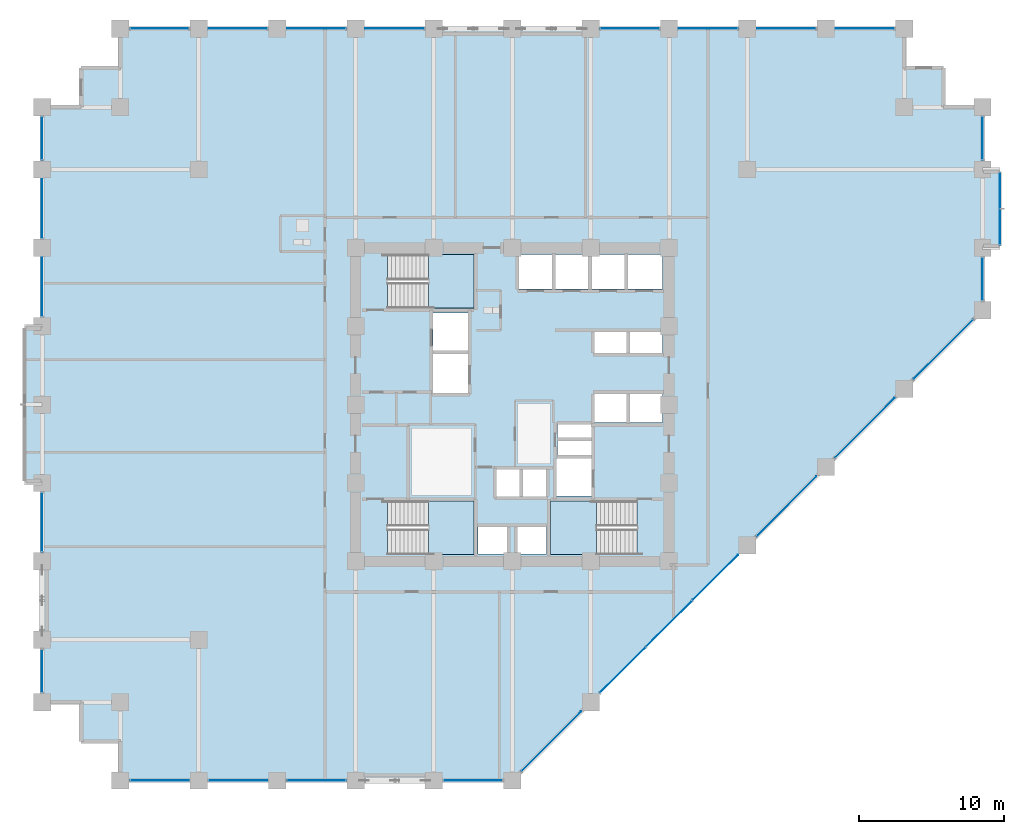
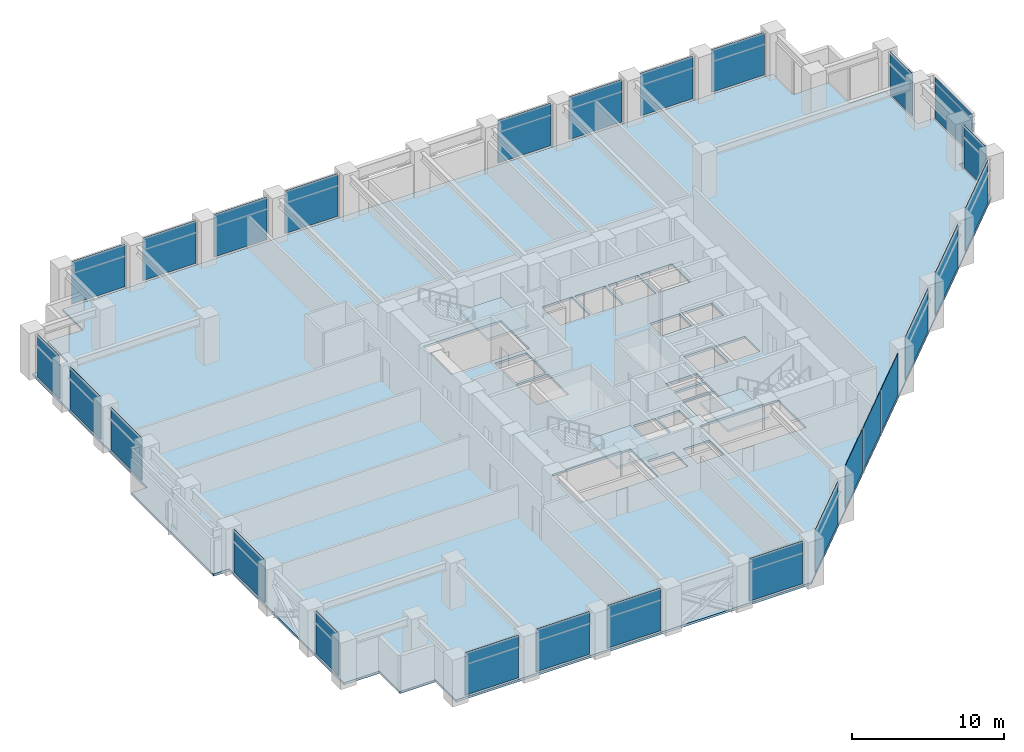
# One storey, part 19 of 27: 27 plates, 4 slabs, 14 elements without a shape of their own.
"""IFC4 building model written with IfcOpenShell, lengths in metres."""

from ifc_helpers import new_model, si_unit, direction, frame, frame_2d, origin, place, context, subcontext, project, spatial, polyline, rectangle, outline, extrude, material, layer, layer_set, type_object, element, aggregate, save


model = new_model("IFC4")

# Units and contexts
model_context = context("Model", 3, precision=1e-05, world=origin(), true_north=direction((0.0, 1.0)))
body_context = subcontext(model_context, "Body", "Model", "MODEL_VIEW")
ifc_project = project(units=[si_unit("LENGTHUNIT", "METRE"), si_unit("AREAUNIT", "SQUARE_METRE"), si_unit("VOLUMEUNIT", "CUBIC_METRE"), si_unit("PLANEANGLEUNIT", "RADIAN"), si_unit("MASSUNIT", "GRAM", prefix="KILO")], contexts=[model_context])

# Site, building, storey
site_placement = place(None, origin())
site = spatial("IfcSite", under=ifc_project, at=site_placement, CompositionType="ELEMENT")
building_placement = place(site_placement, origin())
building = spatial("IfcBuilding", under=site, at=building_placement, Name="Surkhivell Harbour Commons", CompositionType="ELEMENT")
storey_placement = place(building_placement, frame((0.0, 0.0, 56.25)))
storey = spatial("IfcBuildingStorey", under=building, at=storey_placement, Name="L14", CompositionType="ELEMENT", Elevation=56.25)

# Curtain wall, plate
ifc_material_1 = material(Name="Anodised pale-metal aluminium and insulated glazing", Category="aluminium")
ifc_layer_1 = layer(ifc_material_1, 0.1650390625)
ifc_layer_set_1 = layer_set([ifc_layer_1], Name="Anodised pale-metal aluminium and insulated glazing")
curtain_wall_type_1 = type_object("IfcCurtainWallType", Name="CW-SYS-BOX", PredefinedType="NOTDEFINED", material=ifc_layer_set_1)
curtain_wall_1_placement = place(storey_placement, origin())
curtain_wall_1 = element("IfcCurtainWall", 1, at=curtain_wall_1_placement, inside=storey, type_object=curtain_wall_type_1, Name="L14 Curtain Wall CW-L14-BOX01", PredefinedType="NOTDEFINED")
ifc_material_2 = material(Name="Triple-glazed bay-cluster vision glass", Category="glass")
ifc_layer_2 = layer(ifc_material_2, 0.028076171875)
ifc_layer_set_2 = layer_set([ifc_layer_2], Name="Triple-glazed bay-cluster vision glass")
plate_type_1 = type_object("IfcPlateType", Name="CWP-GLZ-28", PredefinedType="CURTAIN_PANEL", material=ifc_layer_set_2)
plate_1_placement = place(storey_placement, frame((33.60009765625, 11.02001953125, 0.1298828125), z_axis=(0.0, 0.0, 1.0), x_axis=(0.0, 1.0, 0.0)))
plate_1 = element("IfcPlate", 2, at=plate_1_placement, type_object=plate_type_1, Name="CW-BOX panel 1.1", PredefinedType="CURTAIN_PANEL", context=body_context, shape_type="SweptSolid", body=[
    extrude(rectangle(XDim=4.9599609375, YDim=0.028076171875, at=frame_2d((2.47998046875, 0.0))), origin(), (0.0, 0.0, 1.0), 3.31005859375),
])
aggregate(curtain_wall_1, [plate_1])

# Curtain wall, plates
ifc_layer_3 = layer(ifc_material_1, 0.219970703125)
ifc_layer_set_3 = layer_set([ifc_layer_3], Name="Anodised pale-metal aluminium and insulated glazing")
curtain_wall_type_2 = type_object("IfcCurtainWallType", Name="CW-SYS-Z1", PredefinedType="NOTDEFINED", material=ifc_layer_set_3)
curtain_wall_2_placement = place(storey_placement, origin())
curtain_wall_2 = element("IfcCurtainWall", 3, at=curtain_wall_2_placement, inside=storey, type_object=curtain_wall_type_2, Name="L14 Curtain Wall CW-L14-E00S1", PredefinedType="NOTDEFINED")
ifc_material_3 = material(Name="Double-silver low-E laminated vision glass", Category="glass")
ifc_layer_4 = layer(ifc_material_3, 0.031982421875)
ifc_layer_set_4 = layer_set([ifc_layer_4], Name="Double-silver low-E laminated vision glass")
plate_type_2 = type_object("IfcPlateType", Name="CWP-GLZ-32", PredefinedType="CURTAIN_PANEL", material=ifc_layer_set_4)
plate_2_placement = place(storey_placement, frame((-26.322998046875, -25.89990234375, 0.14990234375), z_axis=(0.0, 0.0, 1.0), x_axis=(1.0, 0.0, 0.0)))
plate_2 = element("IfcPlate", 4, at=plate_2_placement, type_object=plate_type_2, Name="CW-Z1 panel 1.1", PredefinedType="CURTAIN_PANEL", context=body_context, shape_type="SweptSolid", body=[
    extrude(rectangle(XDim=4.0458984375, YDim=0.031982421875, at=frame_2d((2.02294921875, 0.0))), origin(), (0.0, 0.0, 1.0), 3.420166015625),
])
plate_3_placement = place(storey_placement, frame((-20.923095703125, -25.89990234375, 0.14990234375), z_axis=(0.0, 0.0, 1.0), x_axis=(1.0, 0.0, 0.0)))
plate_3 = element("IfcPlate", 5, at=plate_3_placement, type_object=plate_type_2, Name="CW-Z1 panel 2.1", PredefinedType="CURTAIN_PANEL", context=body_context, shape_type="SweptSolid", body=[
    extrude(rectangle(XDim=4.046142578125, YDim=0.031982421875, at=frame_2d((2.02294921875, 0.0))), origin(), (0.0, 0.0, 1.0), 3.420166015625),
])
plate_4_placement = place(storey_placement, frame((-15.52294921875, -25.89990234375, 0.14990234375), z_axis=(0.0, 0.0, 1.0), x_axis=(1.0, 0.0, 0.0)))
plate_4 = element("IfcPlate", 6, at=plate_4_placement, type_object=plate_type_2, Name="CW-Z1 panel 3.1", PredefinedType="CURTAIN_PANEL", context=body_context, shape_type="SweptSolid", body=[
    extrude(rectangle(XDim=4.0458984375, YDim=0.031982421875, at=frame_2d((2.02294921875, 0.0))), origin(), (0.0, 0.0, 1.0), 3.420166015625),
])
aggregate(curtain_wall_2, [plate_2, plate_3, plate_4])

# Curtain wall, plate
curtain_wall_3_placement = place(storey_placement, origin())
curtain_wall_3 = element("IfcCurtainWall", 7, at=curtain_wall_3_placement, inside=storey, type_object=curtain_wall_type_2, Name="L14 Curtain Wall CW-L14-E00S2", PredefinedType="NOTDEFINED")
plate_5_placement = place(storey_placement, frame((-4.722900390625, -25.89990234375, 0.14990234375), z_axis=(0.0, 0.0, 1.0), x_axis=(1.0, 0.0, 0.0)))
plate_5 = element("IfcPlate", 8, at=plate_5_placement, type_object=plate_type_2, Name="CW-Z1 panel 1.1", PredefinedType="CURTAIN_PANEL", context=body_context, shape_type="SweptSolid", body=[
    extrude(rectangle(XDim=4.0458984375, YDim=0.031982421875, at=frame_2d((2.02294921875, 0.0))), origin(), (0.0, 0.0, 1.0), 3.420166015625),
])
aggregate(curtain_wall_3, [plate_5])

# Curtain wall, plates
curtain_wall_4_placement = place(storey_placement, origin())
curtain_wall_4 = element("IfcCurtainWall", 9, at=curtain_wall_4_placement, inside=storey, type_object=curtain_wall_type_2, Name="L14 Curtain Wall CW-L14-E01", PredefinedType="NOTDEFINED")
plate_6_placement = place(storey_placement, frame((0.65478515625, -25.2451171875, 0.14990234375), z_axis=(0.0, 0.0, 1.0), x_axis=(0.707106781187, 0.707106781187, 0.0)))
plate_6 = element("IfcPlate", 10, at=plate_6_placement, type_object=plate_type_2, Name="CW-Z1 panel 1.1", PredefinedType="CURTAIN_PANEL", context=body_context, shape_type="SweptSolid", body=[
    extrude(rectangle(XDim=5.78466796875, YDim=0.031982421875, at=frame_2d((2.892333984375, 0.0))), origin(), (0.0, 0.0, 1.0), 3.420166015625),
])
plate_7_placement = place(storey_placement, frame((6.0546875, -19.84521484375, 0.14990234375), z_axis=(0.0, 0.0, 1.0), x_axis=(0.707106781187, 0.707106781187, 0.0)))
plate_7 = element("IfcPlate", 11, at=plate_7_placement, type_object=plate_type_2, Name="CW-Z1 panel 2.1", PredefinedType="CURTAIN_PANEL", context=body_context, shape_type="SweptSolid", body=[
    extrude(rectangle(XDim=4.411376953125, YDim=0.031982421875, at=frame_2d((2.20556640625, 0.0))), origin(), (0.0, 0.0, 1.0), 3.420166015625),
])
plate_8_placement = place(storey_placement, frame((9.22705078125, -16.6728515625, 0.14990234375), z_axis=(0.0, 0.0, 1.0), x_axis=(0.707106781187, 0.707106781187, 0.0)))
plate_8 = element("IfcPlate", 12, at=plate_8_placement, type_object=plate_type_2, Name="CW-Z1 panel 3.1", PredefinedType="CURTAIN_PANEL", context=body_context, shape_type="SweptSolid", body=[
    extrude(rectangle(XDim=4.44873046875, YDim=0.031982421875, at=frame_2d((2.224365234375, 0.0))), origin(), (0.0, 0.0, 1.0), 3.420166015625),
])
plate_9_placement = place(storey_placement, frame((12.426025390625, -13.47412109375, 0.14990234375), z_axis=(0.0, 0.0, 1.0), x_axis=(0.707079108482, 0.707134452808, 0.0)))
plate_9 = element("IfcPlate", 13, at=plate_9_placement, type_object=plate_type_2, Name="CW-Z1 panel 4.1", PredefinedType="CURTAIN_PANEL", context=body_context, shape_type="SweptSolid", body=[
    extrude(rectangle(XDim=4.411376953125, YDim=0.031982421875, at=frame_2d((2.20556640625, 0.0))), origin(), (0.0, 0.0, 1.0), 3.420166015625),
])
plate_10_placement = place(storey_placement, frame((16.854736328125, -9.045166015625, 0.14990234375), z_axis=(0.0, 0.0, 1.0), x_axis=(0.707127882868, 0.707085678876, 0.0)))
plate_10 = element("IfcPlate", 14, at=plate_10_placement, type_object=plate_type_2, Name="CW-Z1 panel 5.1", PredefinedType="CURTAIN_PANEL", context=body_context, shape_type="SweptSolid", body=[
    extrude(rectangle(XDim=5.78466796875, YDim=0.031982421875, at=frame_2d((2.892333984375, 0.0))), origin(), (0.0, 0.0, 1.0), 3.420166015625),
])
plate_11_placement = place(storey_placement, frame((22.2548828125, -3.645263671875, 0.14990234375), z_axis=(0.0, 0.0, 1.0), x_axis=(0.707085678876, 0.707127882868, 0.0)))
plate_11 = element("IfcPlate", 15, at=plate_11_placement, type_object=plate_type_2, Name="CW-Z1 panel 6.1", PredefinedType="CURTAIN_PANEL", context=body_context, shape_type="SweptSolid", body=[
    extrude(rectangle(XDim=5.78466796875, YDim=0.031982421875, at=frame_2d((2.892333984375, 0.0))), origin(), (0.0, 0.0, 1.0), 3.420166015625),
])
plate_12_placement = place(storey_placement, frame((27.65478515625, 1.7548828125, 0.14990234375), z_axis=(0.0, 0.0, 1.0), x_axis=(0.707106781187, 0.707106781187, 0.0)))
plate_12 = element("IfcPlate", 16, at=plate_12_placement, type_object=plate_type_2, Name="CW-Z1 panel 7.1", PredefinedType="CURTAIN_PANEL", context=body_context, shape_type="SweptSolid", body=[
    extrude(rectangle(XDim=5.78466796875, YDim=0.031982421875, at=frame_2d((2.892333984375, 0.0))), origin(), (0.0, 0.0, 1.0), 3.420166015625),
])
aggregate(curtain_wall_4, [plate_6, plate_7, plate_8, plate_9, plate_10, plate_11, plate_12])

# Curtain wall, plate
curtain_wall_5_placement = place(storey_placement, origin())
curtain_wall_5 = element("IfcCurtainWall", 17, at=curtain_wall_5_placement, inside=storey, type_object=curtain_wall_type_2, Name="L14 Curtain Wall CW-L14-E02R1", PredefinedType="NOTDEFINED")
plate_13_placement = place(storey_placement, frame((32.39990234375, 7.177001953125, 0.14990234375), z_axis=(0.0, 0.0, 1.0), x_axis=(0.0, 1.0, 0.0)))
plate_13 = element("IfcPlate", 18, at=plate_13_placement, type_object=plate_type_2, Name="CW-Z1 panel 1.1", PredefinedType="CURTAIN_PANEL", context=body_context, shape_type="SweptSolid", body=[
    extrude(rectangle(XDim=2.946044921875, YDim=0.031982421875, at=frame_2d((1.47314453125, 0.0))), origin(), (0.0, 0.0, 1.0), 3.420166015625),
])
aggregate(curtain_wall_5, [plate_13])

curtain_wall_6_placement = place(storey_placement, origin())
curtain_wall_6 = element("IfcCurtainWall", 19, at=curtain_wall_6_placement, inside=storey, type_object=curtain_wall_type_2, Name="L14 Curtain Wall CW-L14-E02R2", PredefinedType="NOTDEFINED")
plate_14_placement = place(storey_placement, frame((32.39990234375, 16.876953125, 0.14990234375), z_axis=(0.0, 0.0, 1.0), x_axis=(0.0, 1.0, 0.0)))
plate_14 = element("IfcPlate", 20, at=plate_14_placement, type_object=plate_type_2, Name="CW-Z1 panel 1.1", PredefinedType="CURTAIN_PANEL", context=body_context, shape_type="SweptSolid", body=[
    extrude(rectangle(XDim=2.946044921875, YDim=0.031982421875, at=frame_2d((1.47314453125, 0.0))), origin(), (0.0, 0.0, 1.0), 3.420166015625),
])
aggregate(curtain_wall_6, [plate_14])

# Curtain wall, plates
curtain_wall_7_placement = place(storey_placement, origin())
curtain_wall_7 = element("IfcCurtainWall", 21, at=curtain_wall_7_placement, inside=storey, type_object=curtain_wall_type_2, Name="L14 Curtain Wall CW-L14-E07S1", PredefinedType="NOTDEFINED")
plate_15_placement = place(storey_placement, frame((26.322998046875, 25.89990234375, 0.14990234375), z_axis=(0.0, 0.0, 1.0), x_axis=(-1.0, 0.0, 0.0)))
plate_15 = element("IfcPlate", 22, at=plate_15_placement, type_object=plate_type_2, Name="CW-Z1 panel 1.1", PredefinedType="CURTAIN_PANEL", context=body_context, shape_type="SweptSolid", body=[
    extrude(rectangle(XDim=4.0458984375, YDim=0.031982421875, at=frame_2d((2.02294921875, 0.0))), origin(), (0.0, 0.0, 1.0), 3.420166015625),
])
plate_16_placement = place(storey_placement, frame((20.923095703125, 25.89990234375, 0.14990234375), z_axis=(0.0, 0.0, 1.0), x_axis=(-1.0, 0.0, 0.0)))
plate_16 = element("IfcPlate", 23, at=plate_16_placement, type_object=plate_type_2, Name="CW-Z1 panel 2.1", PredefinedType="CURTAIN_PANEL", context=body_context, shape_type="SweptSolid", body=[
    extrude(rectangle(XDim=4.046142578125, YDim=0.031982421875, at=frame_2d((2.02294921875, 0.0))), origin(), (0.0, 0.0, 1.0), 3.420166015625),
])
plate_17_placement = place(storey_placement, frame((15.52294921875, 25.89990234375, 0.14990234375), z_axis=(0.0, 0.0, 1.0), x_axis=(-1.0, 0.0, 0.0)))
plate_17 = element("IfcPlate", 24, at=plate_17_placement, type_object=plate_type_2, Name="CW-Z1 panel 3.1", PredefinedType="CURTAIN_PANEL", context=body_context, shape_type="SweptSolid", body=[
    extrude(rectangle(XDim=4.0458984375, YDim=0.031982421875, at=frame_2d((2.02294921875, 0.0))), origin(), (0.0, 0.0, 1.0), 3.420166015625),
])
plate_18_placement = place(storey_placement, frame((10.123046875, 25.89990234375, 0.14990234375), z_axis=(0.0, 0.0, 1.0), x_axis=(-1.0, 0.0, 0.0)))
plate_18 = element("IfcPlate", 25, at=plate_18_placement, type_object=plate_type_2, Name="CW-Z1 panel 4.1", PredefinedType="CURTAIN_PANEL", context=body_context, shape_type="SweptSolid", body=[
    extrude(rectangle(XDim=4.046142578125, YDim=0.031982421875, at=frame_2d((2.02294921875, 0.0))), origin(), (0.0, 0.0, 1.0), 3.420166015625),
])
aggregate(curtain_wall_7, [plate_15, plate_16, plate_17, plate_18])

curtain_wall_8_placement = place(storey_placement, origin())
curtain_wall_8 = element("IfcCurtainWall", 26, at=curtain_wall_8_placement, inside=storey, type_object=curtain_wall_type_2, Name="L14 Curtain Wall CW-L14-E07S2", PredefinedType="NOTDEFINED")
plate_19_placement = place(storey_placement, frame((-6.076904296875, 25.89990234375, 0.14990234375), z_axis=(0.0, 0.0, 1.0), x_axis=(-1.0, 0.0, 0.0)))
plate_19 = element("IfcPlate", 27, at=plate_19_placement, type_object=plate_type_2, Name="CW-Z1 panel 1.1", PredefinedType="CURTAIN_PANEL", context=body_context, shape_type="SweptSolid", body=[
    extrude(rectangle(XDim=4.046142578125, YDim=0.031982421875, at=frame_2d((2.02294921875, 0.0))), origin(), (0.0, 0.0, 1.0), 3.420166015625),
])
plate_20_placement = place(storey_placement, frame((-11.47705078125, 25.89990234375, 0.14990234375), z_axis=(0.0, 0.0, 1.0), x_axis=(-1.0, 0.0, 0.0)))
plate_20 = element("IfcPlate", 28, at=plate_20_placement, type_object=plate_type_2, Name="CW-Z1 panel 2.1", PredefinedType="CURTAIN_PANEL", context=body_context, shape_type="SweptSolid", body=[
    extrude(rectangle(XDim=4.0458984375, YDim=0.031982421875, at=frame_2d((2.02294921875, 0.0))), origin(), (0.0, 0.0, 1.0), 3.420166015625),
])
plate_21_placement = place(storey_placement, frame((-16.876953125, 25.89990234375, 0.14990234375), z_axis=(0.0, 0.0, 1.0), x_axis=(-1.0, 0.0, 0.0)))
plate_21 = element("IfcPlate", 29, at=plate_21_placement, type_object=plate_type_2, Name="CW-Z1 panel 3.1", PredefinedType="CURTAIN_PANEL", context=body_context, shape_type="SweptSolid", body=[
    extrude(rectangle(XDim=4.046142578125, YDim=0.031982421875, at=frame_2d((2.02294921875, 0.0))), origin(), (0.0, 0.0, 1.0), 3.420166015625),
])
plate_22_placement = place(storey_placement, frame((-22.277099609375, 25.89990234375, 0.14990234375), z_axis=(0.0, 0.0, 1.0), x_axis=(-1.0, 0.0, 0.0)))
plate_22 = element("IfcPlate", 30, at=plate_22_placement, type_object=plate_type_2, Name="CW-Z1 panel 4.1", PredefinedType="CURTAIN_PANEL", context=body_context, shape_type="SweptSolid", body=[
    extrude(rectangle(XDim=4.0458984375, YDim=0.031982421875, at=frame_2d((2.02294921875, 0.0))), origin(), (0.0, 0.0, 1.0), 3.420166015625),
])
aggregate(curtain_wall_8, [plate_19, plate_20, plate_21, plate_22])

# Curtain wall, plate
curtain_wall_9_placement = place(storey_placement, origin())
curtain_wall_9 = element("IfcCurtainWall", 31, at=curtain_wall_9_placement, inside=storey, type_object=curtain_wall_type_2, Name="L14 Curtain Wall CW-L14-E12R1S1", PredefinedType="NOTDEFINED")
plate_23_placement = place(storey_placement, frame((-32.39990234375, -19.822998046875, 0.14990234375), z_axis=(0.0, 0.0, 1.0), x_axis=(0.0, 1.0, 0.0)))
plate_23 = element("IfcPlate", 32, at=plate_23_placement, type_object=plate_type_2, Name="CW-Z1 panel 1.1", PredefinedType="CURTAIN_PANEL", context=body_context, shape_type="SweptSolid", body=[
    extrude(rectangle(XDim=2.946044921875, YDim=0.031982421875, at=frame_2d((1.47314453125, 0.0))), origin(), (0.0, 0.0, 1.0), 3.420166015625),
])
aggregate(curtain_wall_9, [plate_23])

curtain_wall_10_placement = place(storey_placement, origin())
curtain_wall_10 = element("IfcCurtainWall", 33, at=curtain_wall_10_placement, inside=storey, type_object=curtain_wall_type_2, Name="L14 Curtain Wall CW-L14-E12R1S2", PredefinedType="NOTDEFINED")
plate_24_placement = place(storey_placement, frame((-32.39990234375, -10.123046875, 0.14990234375), z_axis=(0.0, 0.0, 1.0), x_axis=(0.0, 1.0, 0.0)))
plate_24 = element("IfcPlate", 34, at=plate_24_placement, type_object=plate_type_2, Name="CW-Z1 panel 1.1", PredefinedType="CURTAIN_PANEL", context=body_context, shape_type="SweptSolid", body=[
    extrude(rectangle(XDim=4.046142578125, YDim=0.031982421875, at=frame_2d((2.02294921875, 0.0))), origin(), (0.0, 0.0, 1.0), 3.420166015625),
])
aggregate(curtain_wall_10, [plate_24])

# Curtain wall, plates
curtain_wall_11_placement = place(storey_placement, origin())
curtain_wall_11 = element("IfcCurtainWall", 35, at=curtain_wall_11_placement, inside=storey, type_object=curtain_wall_type_2, Name="L14 Curtain Wall CW-L14-E12R2", PredefinedType="NOTDEFINED")
plate_25_placement = place(storey_placement, frame((-32.39990234375, 6.076904296875, 0.14990234375), z_axis=(0.0, 0.0, 1.0), x_axis=(0.0, 1.0, 0.0)))
plate_25 = element("IfcPlate", 36, at=plate_25_placement, type_object=plate_type_2, Name="CW-Z1 panel 1.1", PredefinedType="CURTAIN_PANEL", context=body_context, shape_type="SweptSolid", body=[
    extrude(rectangle(XDim=4.046142578125, YDim=0.031982421875, at=frame_2d((2.02294921875, 0.0))), origin(), (0.0, 0.0, 1.0), 3.420166015625),
])
plate_26_placement = place(storey_placement, frame((-32.39990234375, 11.47705078125, 0.14990234375), z_axis=(0.0, 0.0, 1.0), x_axis=(0.0, 1.0, 0.0)))
plate_26 = element("IfcPlate", 37, at=plate_26_placement, type_object=plate_type_2, Name="CW-Z1 panel 2.1", PredefinedType="CURTAIN_PANEL", context=body_context, shape_type="SweptSolid", body=[
    extrude(rectangle(XDim=4.0458984375, YDim=0.031982421875, at=frame_2d((2.02294921875, 0.0))), origin(), (0.0, 0.0, 1.0), 3.420166015625),
])
plate_27_placement = place(storey_placement, frame((-32.39990234375, 16.876953125, 0.14990234375), z_axis=(0.0, 0.0, 1.0), x_axis=(0.0, 1.0, 0.0)))
plate_27 = element("IfcPlate", 38, at=plate_27_placement, type_object=plate_type_2, Name="CW-Z1 panel 3.1", PredefinedType="CURTAIN_PANEL", context=body_context, shape_type="SweptSolid", body=[
    extrude(rectangle(XDim=2.946044921875, YDim=0.031982421875, at=frame_2d((1.47314453125, 0.0))), origin(), (0.0, 0.0, 1.0), 3.420166015625),
])
aggregate(curtain_wall_11, [plate_25, plate_26, plate_27])

# Stair, slab
ifc_material_4 = material(Name="Precast concrete C45/55", Category="concrete")
stair_type = type_object("IfcStairType", Name="STR-DL-375", PredefinedType="HALF_TURN_STAIR", material=ifc_material_4)
stair_1_placement = place(storey_placement, origin())
stair_1 = element("IfcStair", 39, at=stair_1_placement, inside=storey, type_object=stair_type, Name="L14 Core Exit Stair ST1", PredefinedType="HALF_TURN_STAIR")
ifc_material_5 = material(Name="Reinforced concrete C45/55", Category="concrete")
ifc_layer_5 = layer(ifc_material_5, 0.199951171875)
ifc_layer_set_5 = layer_set([ifc_layer_5], Name="Reinforced concrete C45/55")
slab_type_1 = type_object("IfcSlabType", Name="SLB-ST-LND200", PredefinedType="LANDING", material=ifc_layer_set_5)
slab_1_placement = place(storey_placement, frame((0.0, 0.0, 1.675048828125)))
slab_1 = element("IfcSlab", 40, at=slab_1_placement, type_object=slab_type_1, Name="ST1 landing 1", PredefinedType="LANDING", context=body_context, shape_type="SweptSolid", body=[
    extrude(outline(polyline([(-5.7900390625, 6.639892578125), (-2.639892578125, 6.639892578125), (-2.639892578125, 10.340087890625), (-5.7900390625, 10.340087890625), (-5.7900390625, 6.639892578125)])), origin(), (0.0, 0.0, 1.0), 0.199951171875),
])
aggregate(stair_1, [slab_1])

stair_2_placement = place(storey_placement, origin())
stair_2 = element("IfcStair", 41, at=stair_2_placement, inside=storey, type_object=stair_type, Name="L14 Core Exit Stair ST2", PredefinedType="HALF_TURN_STAIR")
slab_2_placement = place(storey_placement, frame((0.0, 0.0, 1.675048828125)))
slab_2 = element("IfcSlab", 42, at=slab_2_placement, type_object=slab_type_1, Name="ST2 landing 1", PredefinedType="LANDING", context=body_context, shape_type="SweptSolid", body=[
    extrude(outline(polyline([(5.7900390625, -6.639892578125), (2.639892578125, -6.639892578125), (2.639892578125, -10.340087890625), (5.7900390625, -10.340087890625), (5.7900390625, -6.639892578125)])), origin(), (0.0, 0.0, 1.0), 0.199951171875),
])
aggregate(stair_2, [slab_2])

stair_3_placement = place(storey_placement, origin())
stair_3 = element("IfcStair", 43, at=stair_3_placement, inside=storey, type_object=stair_type, Name="L14 Core Exit Stair ST3", PredefinedType="HALF_TURN_STAIR")
slab_3_placement = place(storey_placement, frame((0.0, 0.0, 1.675048828125)))
slab_3 = element("IfcSlab", 44, at=slab_3_placement, type_object=slab_type_1, Name="ST3 landing 1", PredefinedType="LANDING", context=body_context, shape_type="SweptSolid", body=[
    extrude(outline(polyline([(-5.7900390625, -10.340087890625), (-2.639892578125, -10.340087890625), (-2.639892578125, -6.639892578125), (-5.7900390625, -6.639892578125), (-5.7900390625, -10.340087890625)])), origin(), (0.0, 0.0, 1.0), 0.199951171875),
])
aggregate(stair_3, [slab_3])

# Slab
ifc_material_6 = material(Name="Concrete C45/55", Category="concrete")
ifc_layer_6 = layer(ifc_material_6, 0.179931640625)
ifc_layer_set_6 = layer_set([ifc_layer_6], Name="Concrete C45/55")
slab_type_2 = type_object("IfcSlabType", Name="SLB-TYP-180", PredefinedType="FLOOR", material=ifc_layer_set_6)
slab_4_placement = place(storey_placement, frame((0.0, 0.0, -0.179931640625)))
element("IfcSlab", 45, at=slab_4_placement, inside=storey, type_object=slab_type_2, Name="L14 Structural Floor Slab", PredefinedType="FLOOR", context=body_context, shape_type="SweptSolid", body=[
    extrude(outline(polyline([(-32.39990234375, 20.5), (-32.39990234375, 5.39990234375), (-33.60009765625, 5.39990234375), (-33.60009765625, -5.39990234375), (-32.39990234375, -5.39990234375), (-32.39990234375, -20.5), (-29.699951171875, -20.5), (-29.699951171875, -23.199951171875), (-27.0, -23.199951171875), (-27.0, -25.89990234375), (0.0, -25.89990234375), (32.39990234375, 6.5), (32.39990234375, 10.800048828125), (33.60009765625, 10.800048828125), (33.60009765625, 16.199951171875), (32.39990234375, 16.199951171875), (32.39990234375, 20.5), (29.699951171875, 20.5), (29.699951171875, 23.199951171875), (27.0, 23.199951171875), (27.0, 25.89990234375), (-27.0, 25.89990234375), (-27.0, 23.199951171875), (-29.699951171875, 23.199951171875), (-29.699951171875, 20.5), (-32.39990234375, 20.5)]), holes=[polyline([(-8.590087890625, 6.639892578125), (-2.639892578125, 6.639892578125), (-2.639892578125, 10.340087890625), (-8.590087890625, 10.340087890625), (-8.590087890625, 6.639892578125)]), polyline([(8.590087890625, -6.639892578125), (2.639892578125, -6.639892578125), (2.639892578125, -10.340087890625), (8.590087890625, -10.340087890625), (8.590087890625, -6.639892578125)]), polyline([(-8.590087890625, -10.340087890625), (-2.639892578125, -10.340087890625), (-2.639892578125, -6.639892578125), (-8.590087890625, -6.639892578125), (-8.590087890625, -10.340087890625)]), polyline([(0.449951171875, 7.949951171875), (2.75, 7.949951171875), (2.75, 10.35009765625), (0.449951171875, 10.35009765625), (0.449951171875, 7.949951171875)]), polyline([(2.949951171875, 7.949951171875), (5.25, 7.949951171875), (5.25, 10.35009765625), (2.949951171875, 10.35009765625), (2.949951171875, 7.949951171875)]), polyline([(5.449951171875, 7.949951171875), (7.75, 7.949951171875), (7.75, 10.35009765625), (5.449951171875, 10.35009765625), (5.449951171875, 7.949951171875)]), polyline([(7.949951171875, 7.949951171875), (10.35009765625, 7.949951171875), (10.35009765625, 10.35009765625), (7.949951171875, 10.35009765625), (7.949951171875, 7.949951171875)]), polyline([(5.64990234375, 3.550048828125), (7.89990234375, 3.550048828125), (7.89990234375, 5.14990234375), (5.64990234375, 5.14990234375), (5.64990234375, 3.550048828125)]), polyline([(8.10009765625, 3.550048828125), (10.35009765625, 3.550048828125), (10.35009765625, 5.14990234375), (8.10009765625, 5.14990234375), (8.10009765625, 3.550048828125)]), polyline([(5.64990234375, -1.25), (7.89990234375, -1.25), (7.89990234375, 0.75), (5.64990234375, 0.75), (5.64990234375, -1.25)]), polyline([(8.10009765625, -1.25), (10.35009765625, -1.25), (10.35009765625, 0.75), (8.10009765625, 0.75), (8.10009765625, -1.25)]), polyline([(-1.14990234375, -6.35009765625), (0.550048828125, -6.35009765625), (0.550048828125, -4.449951171875), (-1.14990234375, -4.449951171875), (-1.14990234375, -6.35009765625)]), polyline([(0.679931640625, -6.35009765625), (2.3798828125, -6.35009765625), (2.3798828125, -4.449951171875), (0.679931640625, -4.449951171875), (0.679931640625, -6.35009765625)]), polyline([(-2.35009765625, -10.300048828125), (-0.35009765625, -10.300048828125), (-0.35009765625, -8.39990234375), (-2.35009765625, -8.39990234375), (-2.35009765625, -10.300048828125)]), polyline([(0.35009765625, -10.300048828125), (2.35009765625, -10.300048828125), (2.35009765625, -8.39990234375), (0.35009765625, -8.39990234375), (0.35009765625, -10.300048828125)]), polyline([(-5.449951171875, 3.699951171875), (-3.050048828125, 3.699951171875), (-3.050048828125, 6.300048828125), (-5.449951171875, 6.300048828125), (-5.449951171875, 3.699951171875)]), polyline([(3.050048828125, -6.300048828125), (5.449951171875, -6.300048828125), (5.449951171875, -3.699951171875), (3.050048828125, -3.699951171875), (3.050048828125, -6.300048828125)]), polyline([(-5.449951171875, 0.800048828125), (-3.050048828125, 0.800048828125), (-3.050048828125, 3.5), (-5.449951171875, 3.5), (-5.449951171875, 0.800048828125)]), polyline([(3.10009765625, -3.550048828125), (5.449951171875, -3.550048828125), (5.449951171875, -2.47998046875), (3.10009765625, -2.47998046875), (3.10009765625, -3.550048828125)]), polyline([(3.10009765625, -2.280029296875), (5.449951171875, -2.280029296875), (5.449951171875, -1.35009765625), (3.10009765625, -1.35009765625), (3.10009765625, -2.280029296875)])]), origin(), (0.0, 0.0, 1.0), 0.179931640625),
])

save(model, "model.ifc")
